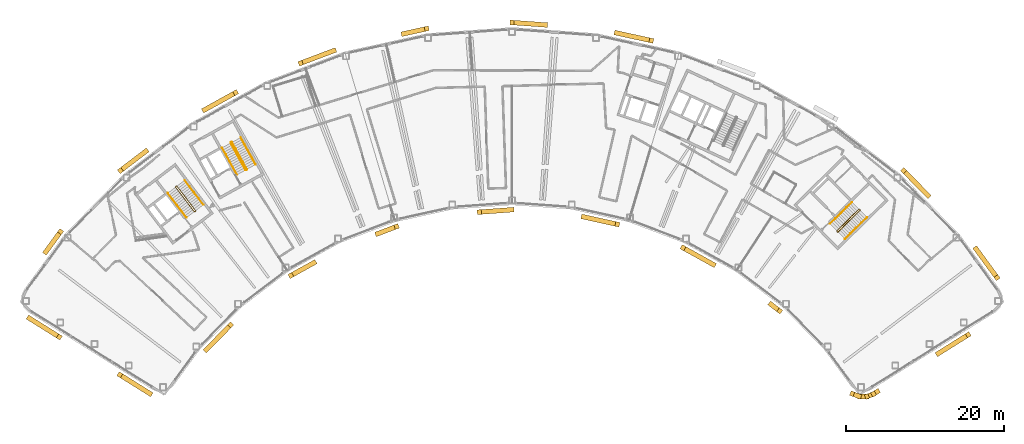
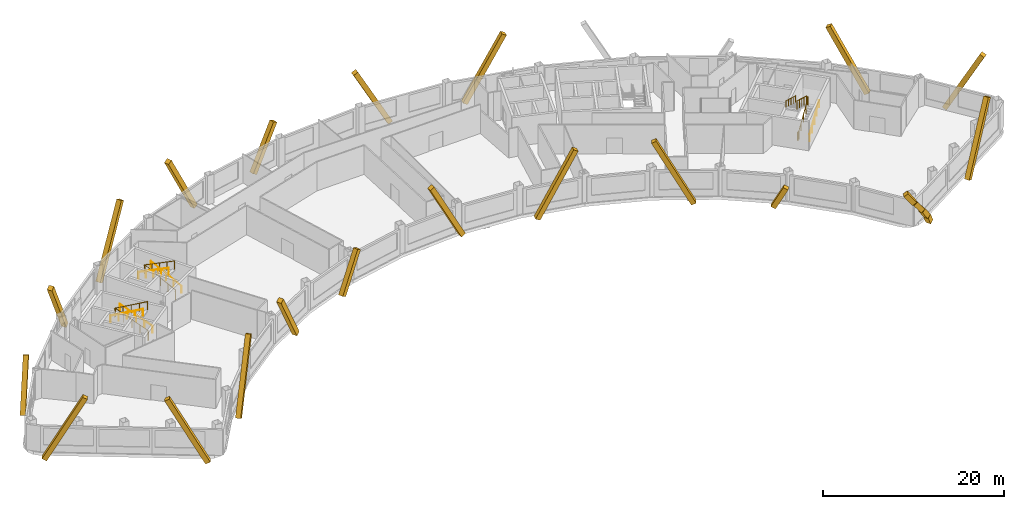
# One storey, part 12 of 13: 23 coverings, 9 railings.
"""IFC4 building model written with IfcOpenShell, lengths in metres."""

import ifcopenshell
import ifcopenshell.guid

model = None  # the IFC model being written
_history = None  # IfcOwnerHistory: only IFC2X3 demands one
_inside = {}  # id of a spatial element -> (the spatial element, [elements in it])
_under = {}  # id of a project, library or spatial element -> (it, [spatial elements below it])
_declared = {}  # id of a project -> (the project, [libraries it declares])
_typed = {}  # id of a type object -> (the type object, [elements of that type])
_made_of = {}  # id of a material, layer set ... -> (it, [elements and type objects made of it])


def new_model(schema):
    """Start an empty IFC model of exactly this schema.

    Asked for "IFC4X3", IfcOpenShell would pick the latest addendum, in which some entities
    have other attributes; the version numbers below select the first issue.
    IFC2X3 requires an IfcOwnerHistory on every rooted entity: one is made here for all.
    """
    global model, _history
    if schema == "IFC4X3":
        model = ifcopenshell.file(schema_version=(4, 3, 0, 0))
    else:
        model = ifcopenshell.file(schema=schema)
    _inside.clear()
    _under.clear()
    _declared.clear()
    _typed.clear()
    _made_of.clear()
    _history = None
    if model.schema == "IFC2X3":
        org = make("IfcOrganization", Name="unknown")
        user = make(
            "IfcPersonAndOrganization",
            ThePerson=make("IfcPerson", FamilyName="unknown"),
            TheOrganization=org,
        )
        app = make(
            "IfcApplication",
            ApplicationDeveloper=org,
            Version="unknown",
            ApplicationFullName="unknown",
            ApplicationIdentifier="unknown",
        )
        _history = make(
            "IfcOwnerHistory",
            OwningUser=user,
            OwningApplication=app,
            ChangeAction="ADDED",
            CreationDate=0,
        )
    return model


def make(cls, **values):
    """One entity of the class cls with the attributes given. An attribute that is None is left unset."""
    return model.create_entity(
        cls, **{name: value for name, value in values.items() if value is not None}
    )


def rooted(cls, **values):
    """An entity with a GlobalId (a new one), such as an element, a storey or a relation."""
    return make(cls, GlobalId=ifcopenshell.guid.new(), OwnerHistory=_history, **values)


def si_unit(unit_type, name, prefix=None):
    """IfcSIUnit, for example si_unit("LENGTHUNIT", "METRE", prefix="MILLI")."""
    return make("IfcSIUnit", UnitType=unit_type, Prefix=prefix, Name=name)


def assignment(units):
    """IfcUnitAssignment: the units of a project."""
    return None if units is None else make("IfcUnitAssignment", Units=units)


def point(xyz):
    """IfcCartesianPoint."""
    return None if xyz is None else make("IfcCartesianPoint", Coordinates=xyz)


def direction(xyz):
    """IfcDirection."""
    return None if xyz is None else make("IfcDirection", DirectionRatios=xyz)


def frame(location, z_axis=None, x_axis=None):
    """IfcAxis2Placement3D, a coordinate frame: its origin and axes. An axis left out is left unset."""
    return make(
        "IfcAxis2Placement3D",
        Location=point(location),
        Axis=direction(z_axis),
        RefDirection=direction(x_axis),
    )


def frame_2d(location, x_axis=None):
    """IfcAxis2Placement2D, a coordinate frame in the plane: its origin and x axis."""
    return make(
        "IfcAxis2Placement2D", Location=point(location), RefDirection=direction(x_axis)
    )


def origin():
    """The frame at (0, 0, 0) with its axes left unset."""
    return frame((0.0, 0.0, 0.0))


def origin_2d():
    """The frame at (0, 0) in the plane with its x axis left unset."""
    return frame_2d((0.0, 0.0))


def place(relative_to, where):
    """IfcLocalPlacement: puts the frame where relative to a parent placement (None: the world)."""
    return make(
        "IfcLocalPlacement", PlacementRelTo=relative_to, RelativePlacement=where
    )


def context(
    kind, dimensions, precision=None, world=None, true_north=None, identifier=None
):
    """IfcGeometricRepresentationContext, for example the 3D "Model" context."""
    return make(
        "IfcGeometricRepresentationContext",
        ContextIdentifier=identifier,
        ContextType=kind,
        CoordinateSpaceDimension=dimensions,
        Precision=precision,
        WorldCoordinateSystem=world,
        TrueNorth=true_north,
    )


def subcontext(parent, identifier, kind, view, scale=None):
    """IfcGeometricRepresentationSubContext, for example "Body" below "Model"."""
    return make(
        "IfcGeometricRepresentationSubContext",
        ContextIdentifier=identifier,
        ContextType=kind,
        ParentContext=parent,
        TargetScale=scale,
        TargetView=view,
    )


def project(units=None, contexts=None):
    """IfcProject with its units and contexts."""
    return rooted(
        "IfcProject",
        Name="project",
        RepresentationContexts=contexts,
        UnitsInContext=assignment(units),
    )


def spatial(cls, under=None, at=None, **own):
    """A site, building, storey or space (cls), placed at a placement, below another one or the project."""
    s = rooted(cls, ObjectPlacement=at, **own)
    if under is not None:
        _under.setdefault(under.id(), (under, []))[1].append(s)
    return s


def profile(cls, at=None, kind="AREA", **sizes):
    """A parametric profile (cls). Its sizes go by their IFC names, for example OverallWidth=200.0."""
    return make(cls, ProfileType=kind, Position=at, **sizes)


def rectangle(**sizes):
    """IfcRectangleProfileDef."""
    return profile("IfcRectangleProfileDef", **sizes)


def circle(**sizes):
    """IfcCircleProfileDef."""
    return profile("IfcCircleProfileDef", **sizes)


def extrude(swept, where, along, depth):
    """IfcExtrudedAreaSolid: the profile swept, set in the frame where, extruded along a direction by depth."""
    return make(
        "IfcExtrudedAreaSolid",
        SweptArea=swept,
        Position=where,
        ExtrudedDirection=direction(along),
        Depth=depth,
    )


def shape(context_of_items, identifier, shape_type, items):
    """IfcShapeRepresentation: the items that make up one representation, for example the "Body"."""
    return make(
        "IfcShapeRepresentation",
        ContextOfItems=context_of_items,
        RepresentationIdentifier=identifier,
        RepresentationType=shape_type,
        Items=items,
    )


def material(Name=None, Category=None):
    """IfcMaterial."""
    return make("IfcMaterial", Name=Name, Category=Category)


def material_profile(
    of_material, cross_section, Name=None, Category=None, Priority=None
):
    """IfcMaterialProfile: a cross section and its material."""
    return make(
        "IfcMaterialProfile",
        Name=Name,
        Material=of_material,
        Profile=cross_section,
        Priority=Priority,
        Category=Category,
    )


def profile_set(profiles, Name=None, composite=None):
    """IfcMaterialProfileSet."""
    return make(
        "IfcMaterialProfileSet",
        Name=Name,
        MaterialProfiles=profiles,
        CompositeProfile=composite,
    )


def made_of(thing, what):
    """Note that an element or type object is made of a material, layer set ...; save() writes the relation."""
    if what is not None:
        _made_of.setdefault(what.id(), (what, []))[1].append(thing)
    return thing


def type_object(cls, material=None, **own):
    """A type object (cls), such as IfcWallType, which elements share."""
    return made_of(rooted(cls, **own), material)


def element(
    cls,
    number,
    at=None,
    inside=None,
    cuts=None,
    type_object=None,
    material=None,
    context=None,
    identifier="Body",
    shape_type=None,
    held_by="IfcProductDefinitionShape",
    body=None,
    shapes=None,
    **own,
):
    """One element of the class cls, such as IfcWall. Its Tag is "e" and its number.

    at: its placement. inside: the storey or other place that contains it. cuts: it is an
    opening in that element (IfcRelVoidsElement). A single representation is given by context,
    identifier, shape_type and body (its items); several are given by shapes. held_by: the class
    of the entity that holds the representations. save() writes the other relations.
    """
    e = rooted(cls, Tag="e%d" % number, ObjectPlacement=at, **own)
    if body is not None:
        shapes = [shape(context, identifier, shape_type, body)]
    if shapes is not None:
        e.Representation = make(held_by, Representations=shapes)
    if inside is not None:
        _inside.setdefault(inside.id(), (inside, []))[1].append(e)
    if cuts is not None:
        rooted(
            "IfcRelVoidsElement", RelatingBuildingElement=cuts, RelatedOpeningElement=e
        )
    if type_object is not None:
        _typed.setdefault(type_object.id(), (type_object, []))[1].append(e)
    return made_of(e, material)


def aggregate(whole, parts):
    """IfcRelAggregates: a whole, such as a stair, and the parts it consists of."""
    return rooted("IfcRelAggregates", RelatingObject=whole, RelatedObjects=parts)


def save(model, path):
    """Write the relations noted so far, then the file.

    IfcRelAggregates (storeys below a building ...), IfcRelContainedInSpatialStructure (elements
    in a storey), IfcRelDefinesByType, IfcRelAssociatesMaterial and IfcRelDeclares: one each for
    every whole, place, type object, material and project.
    """
    for whole, parts in _under.values():
        aggregate(whole, parts)
    for where, things in _inside.values():
        rooted(
            "IfcRelContainedInSpatialStructure",
            RelatedElements=things,
            RelatingStructure=where,
        )
    for kind, things in _typed.values():
        rooted("IfcRelDefinesByType", RelatedObjects=things, RelatingType=kind)
    for what, things in _made_of.values():
        rooted("IfcRelAssociatesMaterial", RelatedObjects=things, RelatingMaterial=what)
    for by, libraries in _declared.values():
        rooted("IfcRelDeclares", RelatingContext=by, RelatedDefinitions=libraries)
    model.write(path)


model = new_model("IFC4")

# Units and contexts
model_context = context("Model", 3, precision=1e-05, world=origin(), true_north=direction((0.0, 1.0)))
body_context = subcontext(model_context, "Body", "Model", "MODEL_VIEW")
ifc_project = project(units=[si_unit("LENGTHUNIT", "METRE"), si_unit("AREAUNIT", "SQUARE_METRE"), si_unit("VOLUMEUNIT", "CUBIC_METRE"), si_unit("PLANEANGLEUNIT", "RADIAN"), si_unit("MASSUNIT", "GRAM", prefix="KILO")], contexts=[model_context])

# Site, building, storey
site_placement = place(None, origin())
site = spatial("IfcSite", under=ifc_project, at=site_placement, CompositionType="ELEMENT")
building_placement = place(site_placement, origin())
building = spatial("IfcBuilding", under=site, at=building_placement, Name="Tuul Gate Civic Tower", CompositionType="ELEMENT")
storey_placement = place(building_placement, frame((0.0, 0.0, 285.800048828125)))
storey = spatial("IfcBuildingStorey", under=building, at=storey_placement, Name="Level 64", CompositionType="ELEMENT", Elevation=285.800048828125)

# Railings
ifc_material_1 = material(Name="Painted steel", Category="steel")
railing_type_1 = type_object("IfcRailingType", Name="Stair guard", PredefinedType="GUARDRAIL", material=ifc_material_1)
railing_1_placement = place(storey_placement, frame((-33.382080078125, -13.515380859375, 0.0)))
element("IfcRailing", 1, at=railing_1_placement, inside=storey, type_object=railing_type_1, Name="Level 64 ST-1 stair guard 1", PredefinedType="GUARDRAIL", context=body_context, shape_type="SweptSolid", body=[
    extrude(circle(Radius=0.02392578125, at=origin_2d()), frame((0.0, 0.0, 1.076171875), z_axis=(-0.795879841968, -0.605454603706, 0.0), x_axis=(0.605454603706, -0.795879841968, 0.0)), (0.0, 0.0, 1.0), 0.10009765625),
    extrude(circle(Radius=0.02392578125, at=origin_2d()), frame((-0.07958984375, -0.060546875, 1.076171875), z_axis=(0.408991890351, 0.599481263939, 0.688002796371), x_axis=(-0.826063974707, 0.563576356576, 0.0)), (0.0, 0.0, 1.0), 0.2177734375),
    extrude(circle(Radius=0.02392578125, at=origin_2d()), frame((0.009521484375, 0.070068359375, 1.22607421875), z_axis=(-0.541824460341, 0.711645023348, 0.447199748346), x_axis=(-0.795637165283, -0.60577347352, 0.0)), (0.0, 0.0, 1.0), 4.3603515625),
    extrude(circle(Radius=0.02392578125, at=origin_2d()), frame((-2.35302734375, 3.173095703125, 3.17578125), z_axis=(-0.990893089246, 0.134650977284, 0.0), x_axis=(-0.134650977284, -0.990893089246, 0.0)), (0.0, 0.0, 1.0), 0.07080078125),
    extrude(circle(Radius=0.02392578125, at=origin_2d()), frame((-2.423095703125, 3.1826171875, 3.17578125), z_axis=(-0.793802879778, -0.60817512943, 0.0), x_axis=(0.60817512943, -0.793802879778, 0.0)), (0.0, 0.0, 1.0), 0.099853515625),
    extrude(circle(Radius=0.02392578125, at=origin_2d()), frame((-2.50244140625, 3.121826171875, 3.17578125), z_axis=(-0.057370624079, -0.422188951554, 0.904690610473), x_axis=(0.990893089246, -0.134650977284, 0.0)), (0.0, 0.0, 1.0), 0.166015625),
    extrude(circle(Radius=0.02392578125, at=origin_2d()), frame((-2.511962890625, 3.0517578125, 3.326171875), z_axis=(0.541806494602, -0.71163897684, 0.447231136047), x_axis=(0.795644365679, 0.605764016233, 0.0)), (0.0, 0.0, 1.0), 4.360107421875),
    extrude(circle(Radius=0.02099609375, at=origin_2d()), origin(), (0.0, 0.0, 1.0), 1.052001953125),
    extrude(circle(Radius=0.02099609375, at=origin_2d()), frame((-0.07958984375, -0.060546875, 0.0)), (0.0, 0.0, 1.0), 1.052001953125),
    extrude(circle(Radius=0.02099609375, at=origin_2d()), frame((0.009521484375, 0.070068359375, 0.14990234375)), (0.0, 0.0, 1.0), 1.052001953125),
    extrude(circle(Radius=0.02099609375, at=origin_2d()), frame((-0.5810546875, 0.845703125, 0.637451171875)), (0.0, 0.0, 1.0), 1.052001953125),
    extrude(circle(Radius=0.02099609375, at=origin_2d()), frame((-1.171875, 1.62158203125, 1.125)), (0.0, 0.0, 1.0), 1.052001953125),
    extrude(circle(Radius=0.02099609375, at=origin_2d()), frame((-1.762451171875, 2.3974609375, 1.6123046875)), (0.0, 0.0, 1.0), 1.052001953125),
    extrude(circle(Radius=0.02099609375, at=origin_2d()), frame((-2.35302734375, 3.173095703125, 2.099853515625)), (0.0, 0.0, 1.0), 1.052001953125),
    extrude(circle(Radius=0.02099609375, at=origin_2d()), frame((-2.423095703125, 3.1826171875, 2.099853515625)), (0.0, 0.0, 1.0), 1.052001953125),
    extrude(circle(Radius=0.02099609375, at=origin_2d()), frame((-2.50244140625, 3.121826171875, 2.099853515625)), (0.0, 0.0, 1.0), 1.052001953125),
    extrude(circle(Radius=0.02099609375, at=origin_2d()), frame((-2.511962890625, 3.0517578125, 2.25)), (0.0, 0.0, 1.0), 1.052001953125),
    extrude(circle(Radius=0.02099609375, at=origin_2d()), frame((-1.92138671875, 2.276123046875, 2.737548828125)), (0.0, 0.0, 1.0), 1.052001953125),
    extrude(circle(Radius=0.02099609375, at=origin_2d()), frame((-1.330810546875, 1.50048828125, 3.22509765625)), (0.0, 0.0, 1.0), 1.052001953125),
    extrude(circle(Radius=0.02099609375, at=origin_2d()), frame((-0.740234375, 0.724609375, 3.71240234375)), (0.0, 0.0, 1.0), 1.052001953125),
    extrude(circle(Radius=0.02099609375, at=origin_2d()), frame((-0.149658203125, -0.051025390625, 4.199951171875)), (0.0, 0.0, 1.0), 1.052001953125),
])
railing_2_placement = place(storey_placement, frame((-26.857666015625, -8.247314453125, 0.0)))
element("IfcRailing", 2, at=railing_2_placement, inside=storey, type_object=railing_type_1, Name="Level 64 ST-2 stair guard 1", PredefinedType="GUARDRAIL", context=body_context, shape_type="SweptSolid", body=[
    extrude(circle(Radius=0.02392578125, at=origin_2d()), frame((0.0, 0.0, 1.076171875), z_axis=(-0.874616555828, -0.48481530532, 0.0), x_axis=(0.48481530532, -0.874616555828, 0.0)), (0.0, 0.0, 1.0), 0.10009765625),
    extrude(circle(Radius=0.02392578125, at=origin_2d()), frame((-0.087646484375, -0.048583984375, 1.076171875), z_axis=(0.49081399482, 0.534516610797, 0.688036056665), x_axis=(-0.736576986774, 0.676353711126, 0.0)), (0.0, 0.0, 1.0), 0.2177734375),
    extrude(circle(Radius=0.02392578125, at=origin_2d()), frame((0.019287109375, 0.06787109375, 1.22607421875), z_axis=(-0.43354991378, 0.782327185242, 0.447212083348), x_axis=(-0.874667644053, -0.484723129681, 0.0)), (0.0, 0.0, 1.0), 4.3603515625),
    extrude(circle(Radius=0.02392578125, at=origin_2d()), frame((-1.87109375, 3.47900390625, 3.17578125), z_axis=(-0.961263487578, 0.275631107549, 0.0), x_axis=(-0.275631107549, -0.961263487578, 0.0)), (0.0, 0.0, 1.0), 0.07080078125),
    extrude(circle(Radius=0.02392578125, at=origin_2d()), frame((-1.939208984375, 3.49853515625, 3.17578125), z_axis=(-0.874042088414, -0.485850211157, 0.0), x_axis=(0.485850211157, -0.874042088414, 0.0)), (0.0, 0.0, 1.0), 0.10009765625),
    extrude(circle(Radius=0.02392578125, at=origin_2d()), frame((-2.026611328125, 3.449951171875, 3.17578125), z_axis=(-0.117709570447, -0.409040757305, 0.904892322815), x_axis=(0.961000426733, -0.276546885391, 0.0)), (0.0, 0.0, 1.0), 0.166015625),
    extrude(circle(Radius=0.02392578125, at=origin_2d()), frame((-2.046142578125, 3.382080078125, 3.326171875), z_axis=(0.433595379963, -0.782308193291, 0.447201226726), x_axis=(0.874641102302, 0.484771020343, 0.0)), (0.0, 0.0, 1.0), 4.3603515625),
    extrude(circle(Radius=0.02099609375, at=origin_2d()), origin(), (0.0, 0.0, 1.0), 1.052001953125),
    extrude(circle(Radius=0.02099609375, at=origin_2d()), frame((-0.087646484375, -0.048583984375, 0.0)), (0.0, 0.0, 1.0), 1.052001953125),
    extrude(circle(Radius=0.02099609375, at=origin_2d()), frame((0.019287109375, 0.06787109375, 0.14990234375)), (0.0, 0.0, 1.0), 1.052001953125),
    extrude(circle(Radius=0.02099609375, at=origin_2d()), frame((-0.453369140625, 0.920654296875, 0.637451171875)), (0.0, 0.0, 1.0), 1.052001953125),
    extrude(circle(Radius=0.02099609375, at=origin_2d()), frame((-0.92578125, 1.7734375, 1.125)), (0.0, 0.0, 1.0), 1.052001953125),
    extrude(circle(Radius=0.02099609375, at=origin_2d()), frame((-1.3984375, 2.626220703125, 1.6123046875)), (0.0, 0.0, 1.0), 1.052001953125),
    extrude(circle(Radius=0.02099609375, at=origin_2d()), frame((-1.87109375, 3.47900390625, 2.099853515625)), (0.0, 0.0, 1.0), 1.052001953125),
    extrude(circle(Radius=0.02099609375, at=origin_2d()), frame((-1.939208984375, 3.49853515625, 2.099853515625)), (0.0, 0.0, 1.0), 1.052001953125),
    extrude(circle(Radius=0.02099609375, at=origin_2d()), frame((-2.026611328125, 3.449951171875, 2.099853515625)), (0.0, 0.0, 1.0), 1.052001953125),
    extrude(circle(Radius=0.02099609375, at=origin_2d()), frame((-2.046142578125, 3.382080078125, 2.25)), (0.0, 0.0, 1.0), 1.052001953125),
    extrude(circle(Radius=0.02099609375, at=origin_2d()), frame((-1.573486328125, 2.529296875, 2.737548828125)), (0.0, 0.0, 1.0), 1.052001953125),
    extrude(circle(Radius=0.02099609375, at=origin_2d()), frame((-1.100830078125, 1.676513671875, 3.22509765625)), (0.0, 0.0, 1.0), 1.052001953125),
    extrude(circle(Radius=0.02099609375, at=origin_2d()), frame((-0.628173828125, 0.82373046875, 3.71240234375)), (0.0, 0.0, 1.0), 1.052001953125),
    extrude(circle(Radius=0.02099609375, at=origin_2d()), frame((-0.155517578125, -0.029052734375, 4.199951171875)), (0.0, 0.0, 1.0), 1.052001953125),
])
railing_3_placement = place(storey_placement, frame((48.10546875, -16.134765625, 0.0)))
element("IfcRailing", 3, at=railing_3_placement, inside=storey, type_object=railing_type_1, Name="Level 64 ST-3 stair guard 1", PredefinedType="GUARDRAIL", context=body_context, shape_type="SweptSolid", body=[
    extrude(circle(Radius=0.02392578125, at=origin_2d()), frame((0.0, 0.0, 1.076171875), z_axis=(-0.698506948293, 0.715603272202, 0.0), x_axis=(-0.715603272202, -0.698506948293, 0.0)), (0.0, 0.0, 1.0), 0.099853515625),
    extrude(circle(Radius=0.02392578125, at=origin_2d()), frame((-0.06982421875, 0.071533203125, 1.076171875), z_axis=(0.645446321009, -0.331687692741, 0.688027849131), x_axis=(0.457068866502, 0.889431307788, 0.0)), (0.0, 0.0, 1.0), 0.2177734375),
    extrude(circle(Radius=0.02392578125, at=origin_2d()), frame((0.07080078125, -0.000732421875, 1.22607421875), z_axis=(0.638731261263, 0.626133563701, 0.447190268558), x_axis=(-0.700029477518, 0.714113947914, 0.0)), (0.0, 0.0, 1.0), 4.3603515625),
    extrude(circle(Radius=0.02392578125, at=origin_2d()), frame((2.85595703125, 2.7294921875, 3.17578125), z_axis=(0.010380063588, 0.999946125689, 0.0), x_axis=(-0.999946125689, 0.010380063588, 0.0)), (0.0, 0.0, 1.0), 0.070556640625),
    extrude(circle(Radius=0.02392578125, at=origin_2d()), frame((2.856689453125, 2.800048828125, 3.17578125), z_axis=(-0.699754442181, 0.714383454909, 0.0), x_axis=(-0.714383454909, -0.699754442181, 0.0)), (0.0, 0.0, 1.0), 0.10009765625),
    extrude(circle(Radius=0.02392578125, at=origin_2d()), frame((2.78662109375, 2.87158203125, 3.17578125), z_axis=(-0.426501027327, 0.004412079593, 0.904476316574), x_axis=(-0.010344274102, -0.999946496565, 0.0)), (0.0, 0.0, 1.0), 0.166015625),
    extrude(circle(Radius=0.02392578125, at=origin_2d()), frame((2.7158203125, 2.872314453125, 3.326171875), z_axis=(-0.638731261263, -0.626133563701, 0.447190268558), x_axis=(0.700029477518, -0.714113947914, 0.0)), (0.0, 0.0, 1.0), 4.3603515625),
    extrude(circle(Radius=0.02099609375, at=origin_2d()), origin(), (0.0, 0.0, 1.0), 1.052001953125),
    extrude(circle(Radius=0.02099609375, at=origin_2d()), frame((-0.06982421875, 0.071533203125, 0.0)), (0.0, 0.0, 1.0), 1.052001953125),
    extrude(circle(Radius=0.02099609375, at=origin_2d()), frame((0.07080078125, -0.000732421875, 0.14990234375)), (0.0, 0.0, 1.0), 1.052001953125),
    extrude(circle(Radius=0.02099609375, at=origin_2d()), frame((0.76708984375, 0.681884765625, 0.637451171875)), (0.0, 0.0, 1.0), 1.052001953125),
    extrude(circle(Radius=0.02099609375, at=origin_2d()), frame((1.46337890625, 1.3642578125, 1.125)), (0.0, 0.0, 1.0), 1.052001953125),
    extrude(circle(Radius=0.02099609375, at=origin_2d()), frame((2.15966796875, 2.046875, 1.6123046875)), (0.0, 0.0, 1.0), 1.052001953125),
    extrude(circle(Radius=0.02099609375, at=origin_2d()), frame((2.85595703125, 2.7294921875, 2.099853515625)), (0.0, 0.0, 1.0), 1.052001953125),
    extrude(circle(Radius=0.02099609375, at=origin_2d()), frame((2.856689453125, 2.800048828125, 2.099853515625)), (0.0, 0.0, 1.0), 1.052001953125),
    extrude(circle(Radius=0.02099609375, at=origin_2d()), frame((2.78662109375, 2.87158203125, 2.099853515625)), (0.0, 0.0, 1.0), 1.052001953125),
    extrude(circle(Radius=0.02099609375, at=origin_2d()), frame((2.7158203125, 2.872314453125, 2.25)), (0.0, 0.0, 1.0), 1.052001953125),
    extrude(circle(Radius=0.02099609375, at=origin_2d()), frame((2.01953125, 2.189697265625, 2.737548828125)), (0.0, 0.0, 1.0), 1.052001953125),
    extrude(circle(Radius=0.02099609375, at=origin_2d()), frame((1.3232421875, 1.50732421875, 3.22509765625)), (0.0, 0.0, 1.0), 1.052001953125),
    extrude(circle(Radius=0.02099609375, at=origin_2d()), frame((0.626953125, 0.82470703125, 3.71240234375)), (0.0, 0.0, 1.0), 1.052001953125),
    extrude(circle(Radius=0.02099609375, at=origin_2d()), frame((-0.0693359375, 0.14208984375, 4.199951171875)), (0.0, 0.0, 1.0), 1.052001953125),
])
ifc_material_2 = material(Name="Painted steel", Category="steel")
railing_type_2 = type_object("IfcRailingType", Name="Stair handrail", PredefinedType="HANDRAIL", material=ifc_material_2)
railing_4_placement = place(storey_placement, frame((-32.3779296875, -12.688232421875, 0.14990234375)))
element("IfcRailing", 4, at=railing_4_placement, inside=storey, type_object=railing_type_2, Name="Level 64 ST-1 stair handrail 1", PredefinedType="HANDRAIL", context=body_context, shape_type="SweptSolid", body=[
    extrude(circle(Radius=0.02392578125, at=origin_2d()), frame((0.0, 0.0, 0.8759765625), z_axis=(-0.541824460341, 0.711645023348, 0.447199748346), x_axis=(-0.795637165283, -0.60577347352, 0.0)), (0.0, 0.0, 1.0), 4.3603515625),
    extrude(circle(Radius=0.02099609375, at=origin_2d()), origin(), (0.0, 0.0, 1.0), 0.851806640625),
    extrude(circle(Radius=0.02099609375, at=origin_2d()), frame((-0.590576171875, 0.77587890625, 0.487548828125)), (0.0, 0.0, 1.0), 0.851806640625),
    extrude(circle(Radius=0.02099609375, at=origin_2d()), frame((-1.18115234375, 1.551513671875, 0.97509765625)), (0.0, 0.0, 1.0), 0.851806640625),
    extrude(circle(Radius=0.02099609375, at=origin_2d()), frame((-1.77197265625, 2.3271484375, 1.46240234375)), (0.0, 0.0, 1.0), 0.851806640625),
    extrude(circle(Radius=0.02099609375, at=origin_2d()), frame((-2.362548828125, 3.10302734375, 1.949951171875)), (0.0, 0.0, 1.0), 0.851806640625),
])
railing_5_placement = place(storey_placement, frame((-36.888671875, -11.220703125, 2.25)))
element("IfcRailing", 5, at=railing_5_placement, inside=storey, type_object=railing_type_2, Name="Level 64 ST-1 stair handrail 2", PredefinedType="HANDRAIL", context=body_context, shape_type="SweptSolid", body=[
    extrude(circle(Radius=0.02392578125, at=origin_2d()), frame((0.0, 0.0, 0.8759765625), z_axis=(0.541824460341, -0.711645023348, 0.447199748346), x_axis=(0.795637165283, 0.60577347352, 0.0)), (0.0, 0.0, 1.0), 4.3603515625),
    extrude(circle(Radius=0.02099609375, at=origin_2d()), origin(), (0.0, 0.0, 1.0), 0.851806640625),
    extrude(circle(Radius=0.02099609375, at=origin_2d()), frame((0.590576171875, -0.77587890625, 0.487548828125)), (0.0, 0.0, 1.0), 0.851806640625),
    extrude(circle(Radius=0.02099609375, at=origin_2d()), frame((1.18115234375, -1.551513671875, 0.97509765625)), (0.0, 0.0, 1.0), 0.851806640625),
    extrude(circle(Radius=0.02099609375, at=origin_2d()), frame((1.77197265625, -2.3271484375, 1.46240234375)), (0.0, 0.0, 1.0), 0.851806640625),
    extrude(circle(Radius=0.02099609375, at=origin_2d()), frame((2.362548828125, -3.10302734375, 1.949951171875)), (0.0, 0.0, 1.0), 0.851806640625),
])
railing_6_placement = place(storey_placement, frame((-25.744873046875, -7.573486328125, 0.14990234375)))
element("IfcRailing", 6, at=railing_6_placement, inside=storey, type_object=railing_type_2, Name="Level 64 ST-2 stair handrail 1", PredefinedType="HANDRAIL", context=body_context, shape_type="SweptSolid", body=[
    extrude(circle(Radius=0.02392578125, at=origin_2d()), frame((0.0, 0.0, 0.8759765625), z_axis=(-0.433595379963, 0.782308193291, 0.447201226726), x_axis=(-0.874641102302, -0.484771020343, 0.0)), (0.0, 0.0, 1.0), 4.3603515625),
    extrude(circle(Radius=0.02099609375, at=origin_2d()), origin(), (0.0, 0.0, 1.0), 0.851806640625),
    extrude(circle(Radius=0.02099609375, at=origin_2d()), frame((-0.47265625, 0.852783203125, 0.487548828125)), (0.0, 0.0, 1.0), 0.851806640625),
    extrude(circle(Radius=0.02099609375, at=origin_2d()), frame((-0.9453125, 1.70556640625, 0.97509765625)), (0.0, 0.0, 1.0), 0.851806640625),
    extrude(circle(Radius=0.02099609375, at=origin_2d()), frame((-1.41796875, 2.558349609375, 1.46240234375)), (0.0, 0.0, 1.0), 0.851806640625),
    extrude(circle(Radius=0.02099609375, at=origin_2d()), frame((-1.890625, 3.4111328125, 1.949951171875)), (0.0, 0.0, 1.0), 0.851806640625),
])
railing_7_placement = place(storey_placement, frame((-29.9970703125, -5.47119140625, 2.25)))
element("IfcRailing", 7, at=railing_7_placement, inside=storey, type_object=railing_type_2, Name="Level 64 ST-2 stair handrail 2", PredefinedType="HANDRAIL", context=body_context, shape_type="SweptSolid", body=[
    extrude(circle(Radius=0.02392578125, at=origin_2d()), frame((0.0, 0.0, 0.8759765625), z_axis=(0.433595379963, -0.782308193291, 0.447201226726), x_axis=(0.874641102302, 0.484771020343, 0.0)), (0.0, 0.0, 1.0), 4.3603515625),
    extrude(circle(Radius=0.02099609375, at=origin_2d()), origin(), (0.0, 0.0, 1.0), 0.851806640625),
    extrude(circle(Radius=0.02099609375, at=origin_2d()), frame((0.47265625, -0.852783203125, 0.487548828125)), (0.0, 0.0, 1.0), 0.851806640625),
    extrude(circle(Radius=0.02099609375, at=origin_2d()), frame((0.9453125, -1.70556640625, 0.97509765625)), (0.0, 0.0, 1.0), 0.851806640625),
    extrude(circle(Radius=0.02099609375, at=origin_2d()), frame((1.41796875, -2.558349609375, 1.46240234375)), (0.0, 0.0, 1.0), 0.851806640625),
    extrude(circle(Radius=0.02099609375, at=origin_2d()), frame((1.890625, -3.4111328125, 1.949951171875)), (0.0, 0.0, 1.0), 0.851806640625),
])
railing_8_placement = place(storey_placement, frame((49.05126953125, -17.028076171875, 0.14990234375)))
element("IfcRailing", 8, at=railing_8_placement, inside=storey, type_object=railing_type_2, Name="Level 64 ST-3 stair handrail 1", PredefinedType="HANDRAIL", context=body_context, shape_type="SweptSolid", body=[
    extrude(circle(Radius=0.02392578125, at=origin_2d()), frame((0.0, 0.0, 0.8759765625), z_axis=(0.638753653487, 0.626099522554, 0.447205945863), x_axis=(-0.699997553204, 0.714145241186, 0.0)), (0.0, 0.0, 1.0), 4.3603515625),
    extrude(circle(Radius=0.02099609375, at=origin_2d()), origin(), (0.0, 0.0, 1.0), 0.851806640625),
    extrude(circle(Radius=0.02099609375, at=origin_2d()), frame((0.6962890625, 0.6826171875, 0.487548828125)), (0.0, 0.0, 1.0), 0.851806640625),
    extrude(circle(Radius=0.02099609375, at=origin_2d()), frame((1.392578125, 1.364990234375, 0.97509765625)), (0.0, 0.0, 1.0), 0.851806640625),
    extrude(circle(Radius=0.02099609375, at=origin_2d()), frame((2.0888671875, 2.04736328125, 1.46240234375)), (0.0, 0.0, 1.0), 0.851806640625),
    extrude(circle(Radius=0.02099609375, at=origin_2d()), frame((2.78515625, 2.72998046875, 1.949951171875)), (0.0, 0.0, 1.0), 0.851806640625),
])
railing_9_placement = place(storey_placement, frame((49.9462890625, -12.369873046875, 2.25)))
element("IfcRailing", 9, at=railing_9_placement, inside=storey, type_object=railing_type_2, Name="Level 64 ST-3 stair handrail 2", PredefinedType="HANDRAIL", context=body_context, shape_type="SweptSolid", body=[
    extrude(circle(Radius=0.02392578125, at=origin_2d()), frame((0.0, 0.0, 0.8759765625), z_axis=(-0.638753653487, -0.626099522554, 0.447205945863), x_axis=(0.699997553204, -0.714145241186, 0.0)), (0.0, 0.0, 1.0), 4.3603515625),
    extrude(circle(Radius=0.02099609375, at=origin_2d()), origin(), (0.0, 0.0, 1.0), 0.851806640625),
    extrude(circle(Radius=0.02099609375, at=origin_2d()), frame((-0.6962890625, -0.6826171875, 0.487548828125)), (0.0, 0.0, 1.0), 0.851806640625),
    extrude(circle(Radius=0.02099609375, at=origin_2d()), frame((-1.392578125, -1.364990234375, 0.97509765625)), (0.0, 0.0, 1.0), 0.851806640625),
    extrude(circle(Radius=0.02099609375, at=origin_2d()), frame((-2.0888671875, -2.04736328125, 1.46240234375)), (0.0, 0.0, 1.0), 0.851806640625),
    extrude(circle(Radius=0.02099609375, at=origin_2d()), frame((-2.78515625, -2.72998046875, 1.949951171875)), (0.0, 0.0, 1.0), 0.851806640625),
])

# Coverings
ifc_material_3 = material(Name="Terracotta baguette", Category="masonry")
ifc_material_profile = material_profile(ifc_material_3, rectangle(XDim=0.60009765625, YDim=0.60009765625, at=origin_2d()), Name="Terracotta baguette screen frame")
ifc_profile_set = profile_set([ifc_material_profile], Name="Terracotta baguette")
covering_type = type_object("IfcCoveringType", Name="Terracotta baguette screen frame", PredefinedType="CLADDING", material=ifc_profile_set)
covering_1_placement = place(storey_placement, frame((60.850341796875, -31.59228515625, -0.35009765625), z_axis=(0.402307996588, 0.251352948263, 0.880323787751), x_axis=(-0.529863185224, 0.848083135633, 0.0)))
element("IfcCovering", 10, at=covering_1_placement, inside=storey, type_object=covering_type, Name="Baguette 1", PredefinedType="CLADDING", context=body_context, shape_type="SweptSolid", body=[
    extrude(rectangle(XDim=0.60009765625, YDim=0.60009765625, at=origin_2d()), origin(), (0.0, 0.0, 1.0), 9.5419921875),
])
covering_2_placement = place(storey_placement, frame((68.348388671875, -21.952880859375, 8.050048828125), z_axis=(-0.281384989699, 0.385244046354, -0.878868313413), x_axis=(-0.807530403609, -0.589825946569, 0.0)))
element("IfcCovering", 11, at=covering_2_placement, inside=storey, type_object=covering_type, Name="Baguette 17", PredefinedType="CLADDING", context=body_context, shape_type="SweptSolid", body=[
    extrude(rectangle(XDim=0.60009765625, YDim=0.60009765625, at=origin_2d()), origin(), (0.0, 0.0, 1.0), 9.557861328125),
])
covering_3_placement = place(storey_placement, frame((56.481689453125, -8.357177734375, 7.882568359375), z_axis=(0.332615167575, -0.339321223751, -0.879902413573), x_axis=(0.714128280474, 0.70001485629, 0.0)))
element("IfcCovering", 12, at=covering_3_placement, inside=storey, type_object=covering_type, Name="Baguette 32", PredefinedType="CLADDING", context=body_context, shape_type="SweptSolid", body=[
    extrude(rectangle(XDim=0.60009765625, YDim=0.60009765625, at=origin_2d()), origin(), (0.0, 0.0, 1.0), 9.3564453125),
])
covering_4_placement = place(storey_placement, frame((24.470947265625, 8.139404296875, 8.050048828125), z_axis=(-0.464027544082, 0.102242056833, -0.879900562648), x_axis=(-0.215174921103, -0.976575523617, 0.0)))
element("IfcCovering", 13, at=covering_4_placement, inside=storey, type_object=covering_type, Name="Baguette 59", PredefinedType="CLADDING", context=body_context, shape_type="SweptSolid", body=[
    extrude(rectangle(XDim=0.60009765625, YDim=0.60009765625, at=origin_2d()), origin(), (0.0, 0.0, 1.0), 9.546630859375),
])
covering_5_placement = place(storey_placement, frame((6.7880859375, 10.43505859375, 7.5517578125), z_axis=(0.473928889478, -0.03433558122, -0.879893445583), x_axis=(0.072259413527, 0.997385871745, 0.0)))
element("IfcCovering", 14, at=covering_5_placement, inside=storey, type_object=covering_type, Name="Baguette 74", PredefinedType="CLADDING", context=body_context, shape_type="SweptSolid", body=[
    extrude(rectangle(XDim=0.60009765625, YDim=0.60009765625, at=origin_2d()), origin(), (0.0, 0.0, 1.0), 8.98046875),
])
covering_6_placement = place(storey_placement, frame((-4.034423828125, 9.651123046875, 5.25537109375), z_axis=(-0.464019264263, -0.102246729192, -0.879904386148), x_axis=(0.215187960952, -0.976572650376, 0.0)))
element("IfcCovering", 15, at=covering_6_placement, inside=storey, type_object=covering_type, Name="Baguette 80", PredefinedType="CLADDING", context=body_context, shape_type="SweptSolid", body=[
    extrude(rectangle(XDim=0.60009765625, YDim=0.60009765625, at=origin_2d()), origin(), (0.0, 0.0, 1.0), 6.37060546875),
])
for number, where, z_axis, x_axis, name in (
    (16, (-20.041748046875, 5.26953125, 8.050048828125), (0.444437096235, 0.168092815096, -0.879897990112), (-0.353758489664, 0.935336800832, 0.0), "Baguette 95"),
    (17, (-28.284423828125, 1.535400390625, 8.050048828125), (-0.415589804816, -0.230363236834, -0.879896524171), (0.484806475071, -0.874621450531, 0.0), "Baguette 101"),
):
    element("IfcCovering", number, at=place(storey_placement, frame(where, z_axis=z_axis, x_axis=x_axis)), inside=storey, type_object=covering_type, Name=name, PredefinedType="CLADDING", context=body_context, shape_type="SweptSolid", body=[
        extrude(rectangle(XDim=0.60009765625, YDim=0.60009765625, at=origin_2d()), origin(), (0.0, 0.0, 1.0), 9.546630859375),
    ])
covering_7_placement = place(storey_placement, frame((-42.905517578125, -8.357177734375, 7.220947265625), z_axis=(0.378051292812, 0.28785127331, -0.879897076059), x_axis=(-0.605793108402, 0.79562221551, 0.0)))
element("IfcCovering", 18, at=covering_7_placement, inside=storey, type_object=covering_type, Name="Baguette 116", PredefinedType="CLADDING", context=body_context, shape_type="SweptSolid", body=[
    extrude(rectangle(XDim=0.60009765625, YDim=0.60009765625, at=origin_2d()), origin(), (0.0, 0.0, 1.0), 8.6044921875),
])
covering_8_placement = place(storey_placement, frame((-50.501708984375, -16.105712890625, 5.5859375), z_axis=(-0.281332695799, -0.385255540514, -0.878880016144), x_axis=(0.807590994458, -0.589742982723, 0.0)))
element("IfcCovering", 19, at=covering_8_placement, inside=storey, type_object=covering_type, Name="Baguette 122", PredefinedType="CLADDING", context=body_context, shape_type="SweptSolid", body=[
    extrude(rectangle(XDim=0.60009765625, YDim=0.60009765625, at=origin_2d()), origin(), (0.0, 0.0, 1.0), 6.754150390625),
])
for number, where, z_axis, x_axis, name in (
    (20, (-50.657470703125, -29.478515625, 8.050048828125), (-0.402302821663, 0.251400885631, -0.880312464064), (-0.529940764372, -0.848034661, 0.0), "Baguette 149"),
    (21, (-42.979736328125, -34.27587890625, 8.050048828125), (0.402302821663, -0.251400885631, -0.880312464064), (0.529940764372, 0.848034661, 0.0), "Baguette 153"),
):
    element("IfcCovering", number, at=place(storey_placement, frame(where, z_axis=z_axis, x_axis=x_axis)), inside=storey, type_object=covering_type, Name=name, PredefinedType="CLADDING", context=body_context, shape_type="SweptSolid", body=[
        extrude(rectangle(XDim=0.60009765625, YDim=0.60009765625, at=origin_2d()), origin(), (0.0, 0.0, 1.0), 9.542236328125),
    ])
covering_9_placement = place(storey_placement, frame((-28.919677734375, -27.94580078125, 8.050048828125), z_axis=(-0.326300155406, -0.332882727493, -0.884713116394), x_axis=(0.714132313758, -0.700010741665, 0.0)))
element("IfcCovering", 22, at=covering_9_placement, inside=storey, type_object=covering_type, Name="Baguette 180", PredefinedType="CLADDING", context=body_context, shape_type="SweptSolid", body=[
    extrude(rectangle(XDim=0.60009765625, YDim=0.60009765625, at=origin_2d()), origin(), (0.0, 0.0, 1.0), 9.494873046875),
])
covering_10_placement = place(storey_placement, frame((-21.281005859375, -21.6796875, 6.06201171875), z_axis=(0.407721193209, 0.225991530506, -0.884698398748), x_axis=(-0.48478990003, 0.874630637943, 0.0)))
element("IfcCovering", 23, at=covering_10_placement, inside=storey, type_object=covering_type, Name="Baguette 187", PredefinedType="CLADDING", context=body_context, shape_type="SweptSolid", body=[
    extrude(rectangle(XDim=0.60009765625, YDim=0.60009765625, at=origin_2d()), origin(), (0.0, 0.0, 1.0), 7.247802734375),
])
covering_11_placement = place(storey_placement, frame((-7.8544921875, -15.459716796875, 4.5947265625), z_axis=(-0.436020798498, -0.164850981119, -0.884709001481), x_axis=(0.353648388587, -0.935378435314, 0.0)))
element("IfcCovering", 24, at=covering_11_placement, inside=storey, type_object=covering_type, Name="Baguette 205", PredefinedType="CLADDING", context=body_context, shape_type="SweptSolid", body=[
    extrude(rectangle(XDim=0.60009765625, YDim=0.60009765625, at=origin_2d()), origin(), (0.0, 0.0, 1.0), 5.589111328125),
])
covering_12_placement = place(storey_placement, frame((2.635498046875, -13.6279296875, 8.050048828125), z_axis=(0.464942089216, 0.033704132871, -0.884699319036), x_axis=(-0.072301313181, 0.997382835281, 0.0)))
element("IfcCovering", 25, at=covering_12_placement, inside=storey, type_object=covering_type, Name="Baguette 212", PredefinedType="CLADDING", context=body_context, shape_type="SweptSolid", body=[
    extrude(rectangle(XDim=0.60009765625, YDim=0.60009765625, at=origin_2d()), origin(), (0.0, 0.0, 1.0), 8.931396484375),
])
for number, where, z_axis, x_axis, name in (
    (26, (20.165771484375, -15.180908203125, 8.050048828125), (-0.455222659442, 0.100332061519, -0.884706622425), (-0.215236378617, -0.976561980276, 0.0), "Baguette 228"),
    (27, (28.490478515625, -18.150634765625, 8.050048828125), (0.407704791436, -0.225991259582, -0.884706026674), (0.484804374507, 0.87462261488, 0.0), "Baguette 236"),
):
    element("IfcCovering", number, at=place(storey_placement, frame(where, z_axis=z_axis, x_axis=x_axis)), inside=storey, type_object=covering_type, Name=name, PredefinedType="CLADDING", context=body_context, shape_type="SweptSolid", body=[
        extrude(rectangle(XDim=0.60009765625, YDim=0.60009765625, at=origin_2d()), origin(), (0.0, 0.0, 1.0), 9.494873046875),
    ])
covering_13_placement = place(storey_placement, frame((40.75830078125, -26.173828125, 2.34326171875), z_axis=(-0.370830285122, 0.282373147473, -0.884731770212), x_axis=(-0.605820279821, -0.795601526241, 0.0)))
element("IfcCovering", 28, at=covering_13_placement, inside=storey, type_object=covering_type, Name="Baguette 251", PredefinedType="CLADDING", context=body_context, shape_type="SweptSolid", body=[
    extrude(rectangle(XDim=0.60009765625, YDim=0.60009765625, at=origin_2d()), origin(), (0.0, 0.0, 1.0), 3.044189453125),
])
covering_14_placement = place(storey_placement, frame((49.9541015625, -36.667724609375, 4.611572265625), z_axis=(0.560354628182, -0.222027305506, -0.797938948971), x_axis=(0.368364368109, 0.929681500465, 0.0)))
element("IfcCovering", 29, at=covering_14_placement, inside=storey, type_object=covering_type, Name="Baguette 260", PredefinedType="CLADDING", context=body_context, shape_type="SweptSolid", body=[
    extrude(rectangle(XDim=0.60009765625, YDim=0.60009765625, at=origin_2d()), origin(), (0.0, 0.0, 1.0), 1.616455078125),
])
covering_15_placement = place(storey_placement, frame((50.85986328125, -37.026611328125, 3.32177734375), z_axis=(0.602560560846, -0.001663278838, -0.798071427891), x_axis=(0.002760340801, 0.999996190252, 0.0)))
element("IfcCovering", 30, at=covering_15_placement, inside=storey, type_object=covering_type, Name="Baguette 261", PredefinedType="CLADDING", context=body_context, shape_type="SweptSolid", body=[
    extrude(rectangle(XDim=0.60009765625, YDim=0.60009765625, at=origin_2d()), origin(), (0.0, 0.0, 1.0), 1.614501953125),
])
covering_16_placement = place(storey_placement, frame((51.832763671875, -37.029296875, 2.033203125), z_axis=(0.534027838207, 0.207867231209, -0.819515394736), x_axis=(-0.362733847194, 0.93189278144, 0.0)))
element("IfcCovering", 31, at=covering_16_placement, inside=storey, type_object=covering_type, Name="Baguette 262", PredefinedType="CLADDING", context=body_context, shape_type="SweptSolid", body=[
    extrude(rectangle(XDim=0.60009765625, YDim=0.60009765625, at=origin_2d()), origin(), (0.0, 0.0, 1.0), 1.57275390625),
])
covering_17_placement = place(storey_placement, frame((52.672607421875, -36.702392578125, 0.744384765625), z_axis=(0.402352266006, 0.251347438013, -0.880305128603), x_axis=(-0.52981289744, 0.848114552231, 0.0)))
element("IfcCovering", 32, at=covering_17_placement, inside=storey, type_object=covering_type, Name="Baguette 263", PredefinedType="CLADDING", context=body_context, shape_type="SweptSolid", body=[
    extrude(rectangle(XDim=0.60009765625, YDim=0.60009765625, at=origin_2d()), origin(), (0.0, 0.0, 1.0), 1.243408203125),
])

save(model, "model.ifc")
